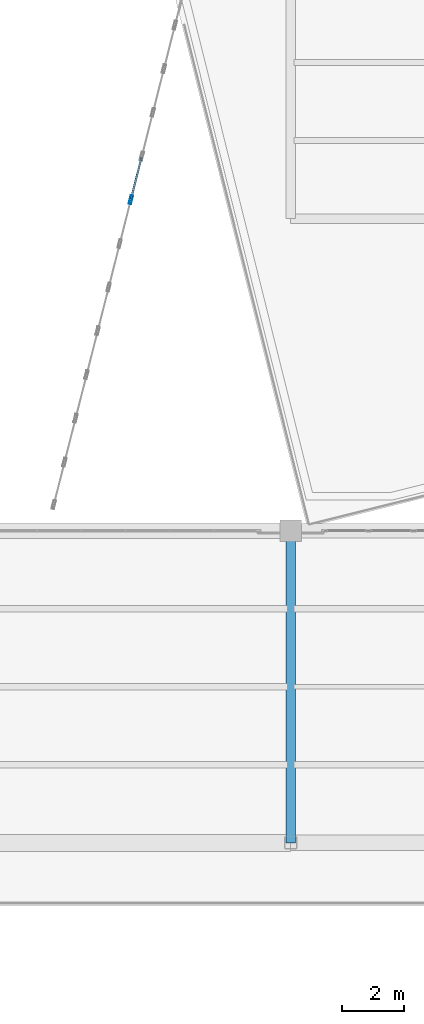
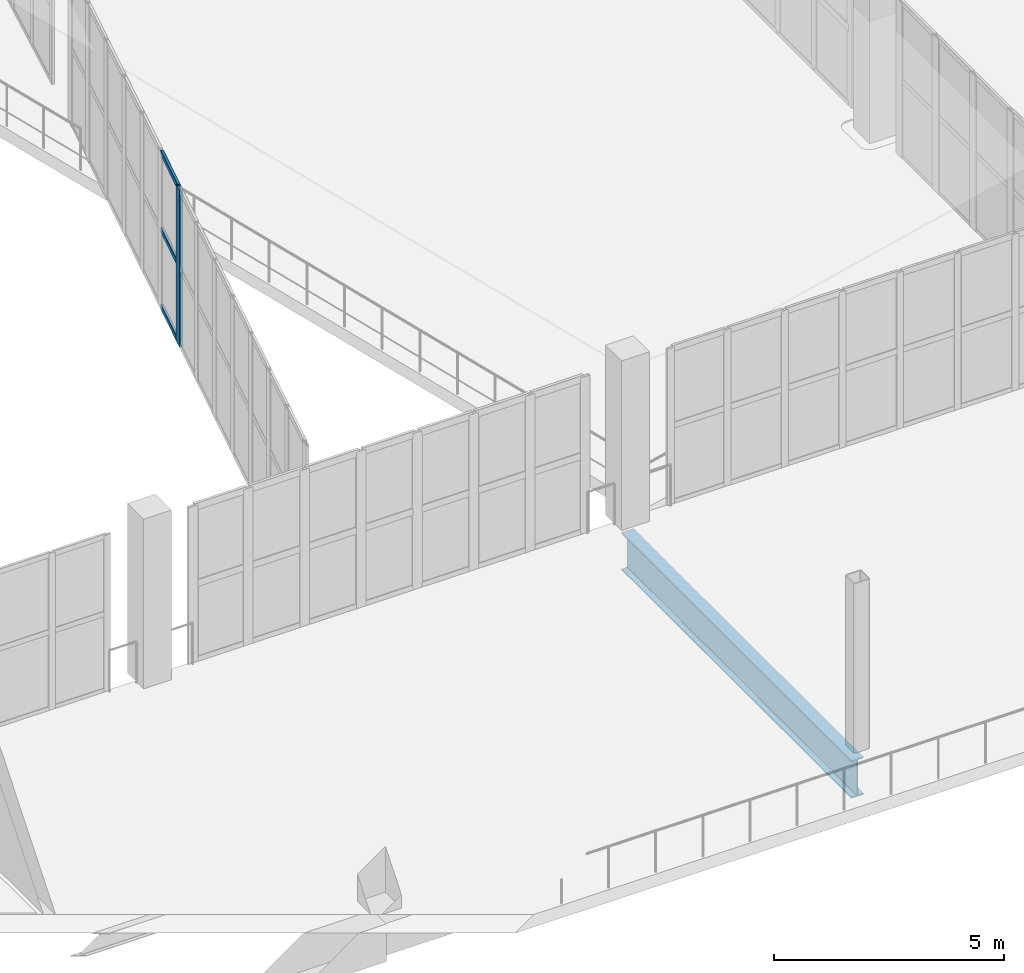
# One storey, part 22 of 108: 4 members, 1 beam, 1 element without a shape of its own.
"""IFC4 building model written with IfcOpenShell, lengths in metres."""

from ifc_helpers import new_model, si_unit, direction, frame, origin, origin_2d, place, context, subcontext, project, spatial, hollow_rectangle, i_section, extrude, material, layer, layer_set, material_profile, profile_set, type_object, element, aggregate, save


model = new_model("IFC4")

# Units and contexts
model_context = context("Model", 3, precision=1e-05, world=origin(), true_north=direction((0.0, 1.0)))
body_context = subcontext(model_context, "Body", "Model", "MODEL_VIEW")
ifc_project = project(units=[si_unit("LENGTHUNIT", "METRE"), si_unit("AREAUNIT", "SQUARE_METRE"), si_unit("VOLUMEUNIT", "CUBIC_METRE"), si_unit("PLANEANGLEUNIT", "RADIAN"), si_unit("MASSUNIT", "GRAM", prefix="KILO")], contexts=[model_context])

# Site, building, storey
site_placement = place(None, origin())
site = spatial("IfcSite", under=ifc_project, at=site_placement, CompositionType="ELEMENT")
building_placement = place(site_placement, origin())
building = spatial("IfcBuilding", under=site, at=building_placement, Name="Brinegate Civic Arena", CompositionType="ELEMENT")
storey_placement = place(building_placement, frame((0.0, 0.0, 10.199951171875)))
storey = spatial("IfcBuildingStorey", under=building, at=storey_placement, Name="L02", CompositionType="ELEMENT", Elevation=10.199951171875)

# Curtain wall, members
ifc_material_1 = material(Name="Marine grade aluminium", Category="aluminium")
ifc_layer = layer(ifc_material_1, 0.215087890625, Name="Marine grade aluminium")
ifc_layer_set = layer_set([ifc_layer], Name="Marine grade aluminium")
curtain_wall_type = type_object("IfcCurtainWallType", Name="CW-FOYER-GLAZED-02", PredefinedType="USERDEFINED", material=ifc_layer_set)
curtain_wall_placement = place(storey_placement, origin())
curtain_wall = element("IfcCurtainWall", 1, at=curtain_wall_placement, inside=storey, type_object=curtain_wall_type, Name="Curtain Wall CWA-003", ObjectType="GLAZED CURTAIN WALL", PredefinedType="USERDEFINED")
ifc_material_profile_1 = material_profile(ifc_material_1, hollow_rectangle(XDim=0.080078125, YDim=0.280029296875, WallThickness=0.007080078125, InnerFilletRadius=0.0048828125, OuterFilletRadius=0.010009765625, at=origin_2d()), Name="MUL80X280")
ifc_profile_set_1 = profile_set([ifc_material_profile_1], Name="Marine grade aluminium")
member_type_1 = type_object("IfcMemberType", Name="CW-MULLION-80X280", PredefinedType="MULLION", material=ifc_profile_set_1)
member_1_placement = place(storey_placement, frame((30.876953125, 62.60009765625, 0.0), z_axis=(0.0, 0.0, 1.0), x_axis=(-0.969512556417, 0.245041635134, 0.0)))
member_1 = element("IfcMember", 2, at=member_1_placement, type_object=member_type_1, Name="CWA-003 mullion 8", PredefinedType="MULLION", context=body_context, shape_type="SweptSolid", body=[
    extrude(hollow_rectangle(XDim=0.080078125, YDim=0.280029296875, WallThickness=0.007080078125, InnerFilletRadius=0.0048828125, OuterFilletRadius=0.010009765625, at=origin_2d()), origin(), (0.0, 0.0, 1.0), 4.150146484375),
])
ifc_material_profile_2 = material_profile(ifc_material_1, hollow_rectangle(XDim=0.06494140625, YDim=0.139892578125, WallThickness=0.0048828125, InnerFilletRadius=0.00390625, OuterFilletRadius=0.008056640625, at=origin_2d()), Name="TRN65X140")
ifc_profile_set_2 = profile_set([ifc_material_profile_2], Name="Marine grade aluminium")
member_type_2 = type_object("IfcMemberType", Name="CW-TRANSOM-65X140", PredefinedType="USERDEFINED", material=ifc_profile_set_2)
member_2_placement = place(storey_placement, frame((30.88671875, 62.638671875, 0.032470703125), z_axis=(0.24501945087, 0.969518163159, 0.0), x_axis=(-0.969518163159, 0.24501945087, 0.0)))
member_2 = element("IfcMember", 3, at=member_2_placement, type_object=member_type_2, Name="CWA-003 transom 8.1", ObjectType="TRANSOM", PredefinedType="USERDEFINED", context=body_context, shape_type="SweptSolid", body=[
    extrude(hollow_rectangle(XDim=0.06494140625, YDim=0.139892578125, WallThickness=0.0048828125, InnerFilletRadius=0.00390625, OuterFilletRadius=0.008056640625, at=origin_2d()), origin(), (0.0, 0.0, 1.0), 1.364013671875),
])
member_3_placement = place(storey_placement, frame((30.88671875, 62.638671875, 2.074951171875), z_axis=(0.24501945087, 0.969518163159, 0.0), x_axis=(-0.969518163159, 0.24501945087, 0.0)))
member_3 = element("IfcMember", 4, at=member_3_placement, type_object=member_type_2, Name="CWA-003 transom 8.2", ObjectType="TRANSOM", PredefinedType="USERDEFINED", context=body_context, shape_type="SweptSolid", body=[
    extrude(hollow_rectangle(XDim=0.06494140625, YDim=0.139892578125, WallThickness=0.0048828125, InnerFilletRadius=0.00390625, OuterFilletRadius=0.008056640625, at=origin_2d()), origin(), (0.0, 0.0, 1.0), 1.364013671875),
])
member_4_placement = place(storey_placement, frame((30.88671875, 62.638671875, 4.117431640625), z_axis=(0.24501945087, 0.969518163159, 0.0), x_axis=(-0.969518163159, 0.24501945087, 0.0)))
member_4 = element("IfcMember", 5, at=member_4_placement, type_object=member_type_2, Name="CWA-003 transom 8.3", ObjectType="TRANSOM", PredefinedType="USERDEFINED", context=body_context, shape_type="SweptSolid", body=[
    extrude(hollow_rectangle(XDim=0.06494140625, YDim=0.139892578125, WallThickness=0.0048828125, InnerFilletRadius=0.00390625, OuterFilletRadius=0.008056640625, at=origin_2d()), origin(), (0.0, 0.0, 1.0), 1.364013671875),
])
aggregate(curtain_wall, [member_1, member_2, member_3, member_4])

# Beam
ifc_material_2 = material(Name="Steel S355", Category="steel")
ifc_material_profile_3 = material_profile(ifc_material_2, i_section(OverallWidth=0.300048828125, OverallDepth=1.0, WebThickness=0.01904296875, FlangeThickness=0.031982421875, FilletRadius=0.02392578125, at=origin_2d()), Name="W1000X321")
ifc_profile_set_3 = profile_set([ifc_material_profile_3], Name="Steel S355")
beam_type = type_object("IfcBeamType", Name="GIRDER-W1000X321", PredefinedType="BEAM", material=ifc_profile_set_3)
beam_placement = place(storey_placement, frame((36.0, 42.0, -0.829833984375), z_axis=(0.0, 1.0, 0.0), x_axis=(-1.0, 0.0, 0.0)))
element("IfcBeam", 6, at=beam_placement, inside=storey, type_object=beam_type, Name="Floor Girder BM-L02-GY-03-04", PredefinedType="BEAM", context=body_context, shape_type="SweptSolid", body=[
    extrude(i_section(OverallWidth=0.300048828125, OverallDepth=1.0, WebThickness=0.01904296875, FlangeThickness=0.031982421875, FilletRadius=0.02392578125, at=origin_2d()), origin(), (0.0, 0.0, 1.0), 10.0),
])

save(model, "model.ifc")
